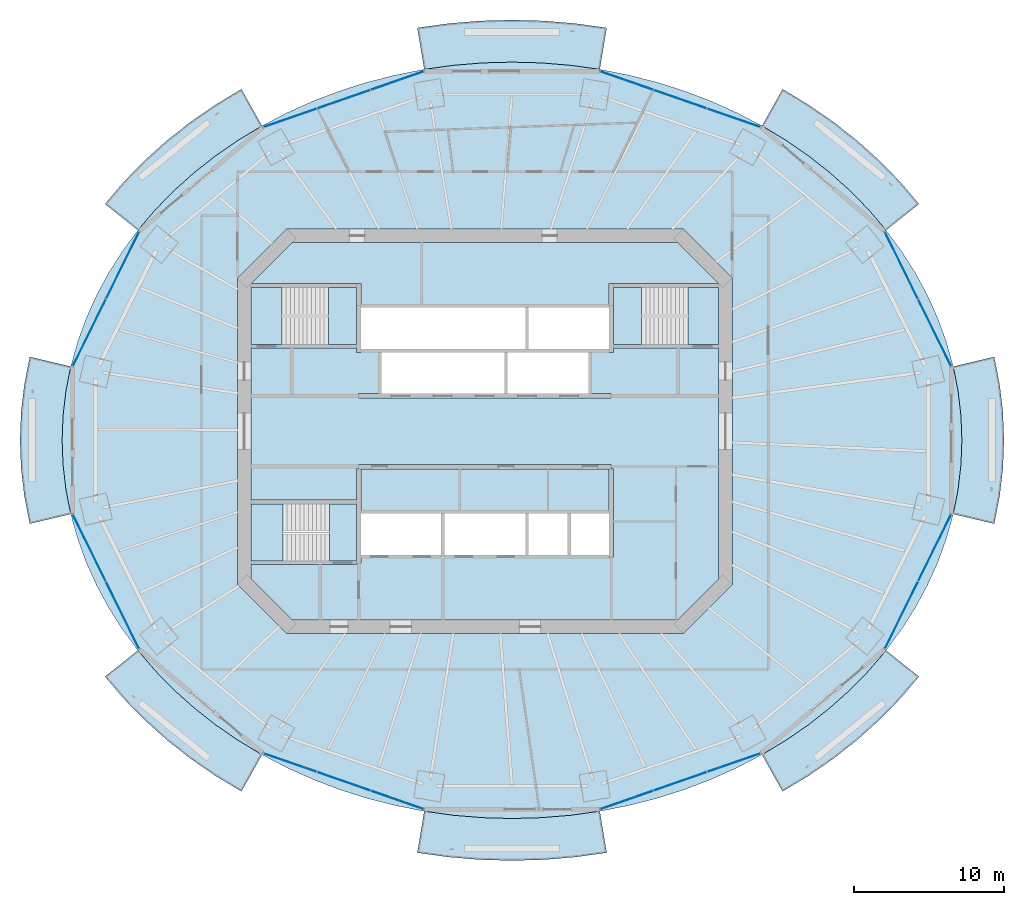
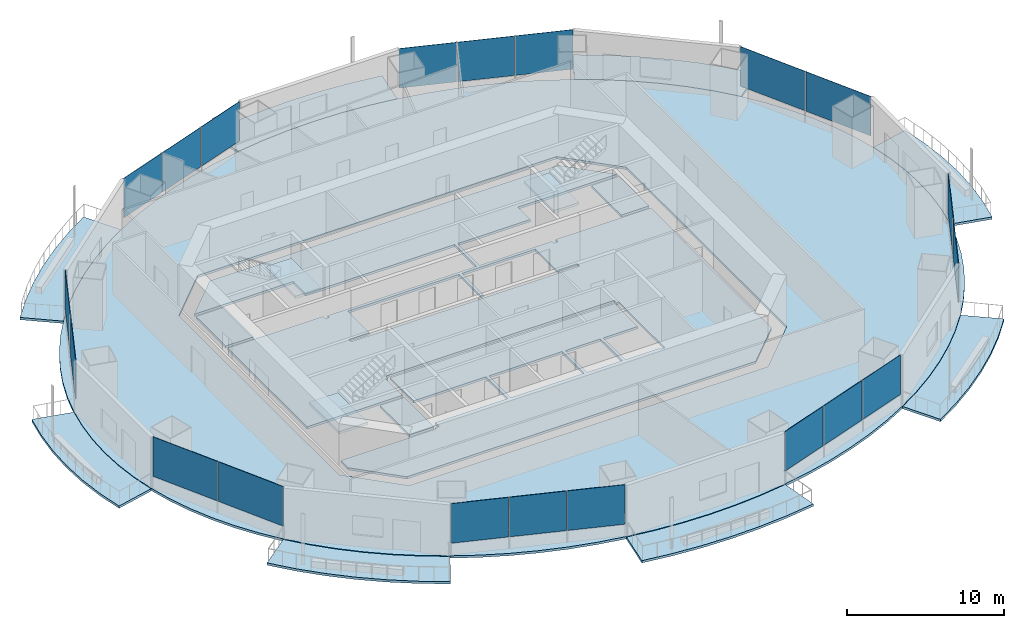
# One storey, part 9 of 19: 20 plates, 16 slabs, 11 elements without a shape of their own.
"""IFC4 building model written with IfcOpenShell, lengths in metres."""

from ifc_helpers import new_model, si_unit, direction, frame, origin, origin_2d, place, context, subcontext, project, spatial, polyline, rectangle, outline, extrude, material, layer, layer_set, type_object, element, aggregate, save


model = new_model("IFC4")

# Units and contexts
model_context = context("Model", 3, precision=1e-05, world=origin(), true_north=direction((0.0, 1.0)))
body_context = subcontext(model_context, "Body", "Model", "MODEL_VIEW")
ifc_project = project(units=[si_unit("LENGTHUNIT", "METRE"), si_unit("AREAUNIT", "SQUARE_METRE"), si_unit("VOLUMEUNIT", "CUBIC_METRE"), si_unit("PLANEANGLEUNIT", "RADIAN"), si_unit("MASSUNIT", "GRAM", prefix="KILO")], contexts=[model_context])

# Site, building, storey
site_placement = place(None, origin())
site = spatial("IfcSite", under=ifc_project, at=site_placement, CompositionType="ELEMENT")
building_placement = place(site_placement, origin())
building = spatial("IfcBuilding", under=site, at=building_placement, Name="Marenthal Gate Tower", CompositionType="ELEMENT")
storey_placement = place(building_placement, frame((0.0, 0.0, 248.199951171875)))
storey = spatial("IfcBuildingStorey", under=building, at=storey_placement, Name="L55", CompositionType="ELEMENT", Elevation=248.199951171875)

# Slabs
ifc_material_1 = material(Name="Concrete 40 MPa", Category="concrete")
ifc_layer_1 = layer(ifc_material_1, 0.179931640625)
ifc_layer_set_1 = layer_set([ifc_layer_1], Name="Balcony deck 180")
slab_type_1 = type_object("IfcSlabType", Name="Balcony deck 180", PredefinedType="USERDEFINED", material=ifc_layer_set_1)
slab_1_placement = place(storey_placement, frame((0.0, 0.0, -0.219970703125)))
element("IfcSlab", 1, at=slab_1_placement, inside=storey, type_object=slab_type_1, Name="Balcony deck L55 bay 2", ObjectType="BALCONY", PredefinedType="USERDEFINED", context=body_context, shape_type="SweptSolid", body=[
    extrude(outline(polyline([(26.68017578125, 13.374755859375), (25.53955078125, 14.712890625), (24.29736328125, 15.985107421875), (22.958740234375, 17.1865234375), (21.529541015625, 18.311767578125), (20.01611328125, 19.35595703125), (18.42431640625, 20.314697265625), (19.79541015625, 22.756103515625), (21.53369140625, 21.708984375), (23.191162109375, 20.565673828125), (24.760498046875, 19.329833984375), (26.23486328125, 18.006591796875), (27.607421875, 16.6005859375), (28.8720703125, 15.116943359375), (26.68017578125, 13.374755859375)])), origin(), (0.0, 0.0, 1.0), 0.179931640625),
])
slab_2_placement = place(storey_placement, frame((0.0, 0.0, -0.219970703125)))
element("IfcSlab", 2, at=slab_2_placement, inside=storey, type_object=slab_type_1, Name="Balcony deck L55 bay 4", ObjectType="BALCONY", PredefinedType="USERDEFINED", context=body_context, shape_type="SweptSolid", body=[
    extrude(outline(polyline([(7.6376953125, 24.07080078125), (5.705810546875, 24.3388671875), (3.757080078125, 24.5), (1.800048828125, 24.553955078125), (-0.156982421875, 24.5), (-2.105712890625, 24.3388671875), (-4.03759765625, 24.07080078125), (-4.49951171875, 26.832275390625), (-2.41357421875, 27.121826171875), (-0.31103515625, 27.2958984375), (1.800048828125, 27.35400390625), (3.9111328125, 27.2958984375), (6.013671875, 27.121826171875), (8.099365234375, 26.832275390625), (7.6376953125, 24.07080078125)])), origin(), (0.0, 0.0, 1.0), 0.179931640625),
])
slab_3_placement = place(storey_placement, frame((0.0, 0.0, -0.219970703125)))
element("IfcSlab", 3, at=slab_3_placement, inside=storey, type_object=slab_type_1, Name="Balcony deck L55 bay 6", ObjectType="BALCONY", PredefinedType="USERDEFINED", context=body_context, shape_type="SweptSolid", body=[
    extrude(outline(polyline([(-14.82421875, 20.314697265625), (-16.416015625, 19.35595703125), (-17.9296875, 18.311767578125), (-19.35888671875, 17.1865234375), (-20.697265625, 15.985107421875), (-21.939453125, 14.712890625), (-23.080078125, 13.374755859375), (-25.27197265625, 15.116943359375), (-24.007568359375, 16.6005859375), (-22.634765625, 18.006591796875), (-21.160400390625, 19.329833984375), (-19.591064453125, 20.565673828125), (-17.933837890625, 21.708984375), (-16.195556640625, 22.756103515625), (-14.82421875, 20.314697265625)])), origin(), (0.0, 0.0, 1.0), 0.179931640625),
])
slab_4_placement = place(storey_placement, frame((0.0, 0.0, -0.219970703125)))
element("IfcSlab", 4, at=slab_4_placement, inside=storey, type_object=slab_type_1, Name="Balcony deck L55 bay 8", ObjectType="BALCONY", PredefinedType="USERDEFINED", context=body_context, shape_type="SweptSolid", body=[
    extrude(outline(polyline([(-27.548095703125, 4.307373046875), (-27.866943359375, 2.683349609375), (-28.058837890625, 1.045166015625), (-28.123046875, -0.60009765625), (-28.058837890625, -2.2451171875), (-27.866943359375, -3.88330078125), (-27.548095703125, -5.50732421875), (-30.272705078125, -6.152099609375), (-30.63330078125, -4.316650390625), (-30.850341796875, -2.462890625), (-30.923095703125, -0.60009765625), (-30.850341796875, 1.262939453125), (-30.63330078125, 3.116455078125), (-30.272705078125, 4.9521484375), (-27.548095703125, 4.307373046875)])), origin(), (0.0, 0.0, 1.0), 0.179931640625),
])
slab_5_placement = place(storey_placement, frame((0.0, 0.0, -0.219970703125)))
element("IfcSlab", 5, at=slab_5_placement, inside=storey, type_object=slab_type_1, Name="Balcony deck L55 bay 10", ObjectType="BALCONY", PredefinedType="USERDEFINED", context=body_context, shape_type="SweptSolid", body=[
    extrude(outline(polyline([(-23.080078125, -14.57470703125), (-21.939453125, -15.912841796875), (-20.697265625, -17.185302734375), (-19.35888671875, -18.38671875), (-17.9296875, -19.51171875), (-16.416015625, -20.555908203125), (-14.82421875, -21.514892578125), (-16.195556640625, -23.9560546875), (-17.933837890625, -22.908935546875), (-19.591064453125, -21.765625), (-21.160400390625, -20.530029296875), (-22.634765625, -19.20654296875), (-24.007568359375, -17.800537109375), (-25.27197265625, -16.317138671875), (-23.080078125, -14.57470703125)])), origin(), (0.0, 0.0, 1.0), 0.179931640625),
])
slab_6_placement = place(storey_placement, frame((0.0, 0.0, -0.219970703125)))
element("IfcSlab", 6, at=slab_6_placement, inside=storey, type_object=slab_type_1, Name="Balcony deck L55 bay 12", ObjectType="BALCONY", PredefinedType="USERDEFINED", context=body_context, shape_type="SweptSolid", body=[
    extrude(outline(polyline([(-4.03759765625, -25.270751953125), (-2.105712890625, -25.538818359375), (-0.156982421875, -25.7001953125), (1.800048828125, -25.75390625), (3.757080078125, -25.7001953125), (5.705810546875, -25.538818359375), (7.6376953125, -25.270751953125), (8.099365234375, -28.032470703125), (6.013671875, -28.32177734375), (3.9111328125, -28.495849609375), (1.800048828125, -28.553955078125), (-0.31103515625, -28.495849609375), (-2.41357421875, -28.32177734375), (-4.49951171875, -28.032470703125), (-4.03759765625, -25.270751953125)])), origin(), (0.0, 0.0, 1.0), 0.179931640625),
])
slab_7_placement = place(storey_placement, frame((0.0, 0.0, -0.219970703125)))
element("IfcSlab", 7, at=slab_7_placement, inside=storey, type_object=slab_type_1, Name="Balcony deck L55 bay 14", ObjectType="BALCONY", PredefinedType="USERDEFINED", context=body_context, shape_type="SweptSolid", body=[
    extrude(outline(polyline([(18.42431640625, -21.514892578125), (20.01611328125, -20.555908203125), (21.529541015625, -19.51171875), (22.958740234375, -18.38671875), (24.29736328125, -17.185302734375), (25.53955078125, -15.912841796875), (26.68017578125, -14.57470703125), (28.8720703125, -16.317138671875), (27.607421875, -17.800537109375), (26.23486328125, -19.20654296875), (24.760498046875, -20.530029296875), (23.191162109375, -21.765625), (21.53369140625, -22.908935546875), (19.79541015625, -23.9560546875), (18.42431640625, -21.514892578125)])), origin(), (0.0, 0.0, 1.0), 0.179931640625),
])
slab_8_placement = place(storey_placement, frame((0.0, 0.0, -0.219970703125)))
element("IfcSlab", 8, at=slab_8_placement, inside=storey, type_object=slab_type_1, Name="Balcony deck L55 bay 16", ObjectType="BALCONY", PredefinedType="USERDEFINED", context=body_context, shape_type="SweptSolid", body=[
    extrude(outline(polyline([(31.14794921875, -5.50732421875), (31.467041015625, -3.88330078125), (31.658935546875, -2.2451171875), (31.722900390625, -0.60009765625), (31.658935546875, 1.045166015625), (31.467041015625, 2.683349609375), (31.14794921875, 4.307373046875), (33.872802734375, 4.9521484375), (34.2333984375, 3.116455078125), (34.450439453125, 1.262939453125), (34.52294921875, -0.60009765625), (34.450439453125, -2.462890625), (34.2333984375, -4.316650390625), (33.872802734375, -6.152099609375), (31.14794921875, -5.50732421875)])), origin(), (0.0, 0.0, 1.0), 0.179931640625),
])
ifc_material_2 = material(Name="Concrete 50 MPa", Category="concrete")
ifc_layer_2 = layer(ifc_material_2, 0.179931640625)
ifc_layer_set_2 = layer_set([ifc_layer_2], Name="Core floor slab 180")
slab_type_2 = type_object("IfcSlabType", Name="Core floor slab 180", PredefinedType="FLOOR", material=ifc_layer_set_2)
slab_9_placement = place(storey_placement, frame((0.0, 0.0, -0.179931640625)))
element("IfcSlab", 9, at=slab_9_placement, inside=storey, type_object=slab_type_2, Name="Core floor L55", PredefinedType="FLOOR", context=body_context, shape_type="SweptSolid", body=[
    extrude(outline(polyline([(12.813720703125, -12.550048828125), (-12.813720703125, -12.550048828125), (-15.550048828125, -9.813720703125), (-15.550048828125, -8.875), (-8.550048828125, -8.875), (-8.550048828125, -8.75), (-8.25, -8.75), (-8.25, -8.239990234375), (-5.60009765625, -8.239990234375), (-2.909912109375, -8.239990234375), (-2.909912109375, -5.4599609375), (-5.60009765625, -5.4599609375), (-8.25, -5.4599609375), (-8.25, -2.5), (8.25, -2.5), (8.25, -5.4599609375), (5.7099609375, -5.4599609375), (5.7099609375, -8.239990234375), (8.25, -8.239990234375), (8.25, -8.35009765625), (8.550048828125, -8.35009765625), (8.550048828125, -2.5), (8.39990234375, -2.5), (8.39990234375, -2.199951171875), (-8.39990234375, -2.199951171875), (-8.39990234375, -2.5), (-8.550048828125, -2.5), (-8.550048828125, -4.574951171875), (-15.550048828125, -4.574951171875), (-15.550048828125, 5.52490234375), (-8.550048828125, 5.52490234375), (-8.550048828125, 5.239990234375), (-8.25, 5.239990234375), (-8.25, 5.4599609375), (-5.60009765625, 5.4599609375), (-2.800048828125, 5.4599609375), (0.0, 5.4599609375), (2.68994140625, 5.4599609375), (2.68994140625, 8.239990234375), (0.0, 8.239990234375), (-2.800048828125, 8.239990234375), (-5.60009765625, 8.239990234375), (-8.25, 8.239990234375), (-8.25, 8.35009765625), (-8.25, 9.824951171875), (-8.550048828125, 9.824951171875), (-15.53857421875, 9.824951171875), (-12.813720703125, 12.550048828125), (12.813720703125, 12.550048828125), (15.53857421875, 9.824951171875), (8.550048828125, 9.824951171875), (8.25, 9.824951171875), (8.25, 8.35009765625), (8.25, 8.239990234375), (5.60009765625, 8.239990234375), (2.909912109375, 8.239990234375), (2.909912109375, 5.4599609375), (5.60009765625, 5.4599609375), (8.25, 5.4599609375), (8.25, 5.239990234375), (8.550048828125, 5.239990234375), (8.550048828125, 5.52490234375), (15.550048828125, 5.52490234375), (15.550048828125, -9.813720703125), (12.813720703125, -12.550048828125)]), holes=[polyline([(2.68994140625, -8.239990234375), (2.68994140625, -5.4599609375), (0.0, -5.4599609375), (-2.68994140625, -5.4599609375), (-2.68994140625, -8.239990234375), (0.0, -8.239990234375), (2.68994140625, -8.239990234375)]), polyline([(-6.889892578125, 5.239990234375), (-6.889892578125, 2.5), (-8.39990234375, 2.5), (-8.39990234375, 2.199951171875), (8.39990234375, 2.199951171875), (8.39990234375, 2.5), (6.889892578125, 2.5), (6.889892578125, 5.239990234375), (4.199951171875, 5.239990234375), (1.510009765625, 5.239990234375), (1.510009765625, 2.5), (1.2900390625, 2.5), (1.2900390625, 5.239990234375), (-1.39990234375, 5.239990234375), (-4.199951171875, 5.239990234375), (-6.889892578125, 5.239990234375)]), polyline([(5.489990234375, -5.4599609375), (2.909912109375, -5.4599609375), (2.909912109375, -8.239990234375), (5.489990234375, -8.239990234375), (5.489990234375, -5.4599609375)])]), origin(), (0.0, 0.0, 1.0), 0.179931640625),
])
slab_10_placement = place(storey_placement, frame((0.0, 0.0, -0.179931640625)))
element("IfcSlab", 10, at=slab_10_placement, inside=storey, type_object=slab_type_2, Name="Core floor L55", PredefinedType="FLOOR", context=body_context, shape_type="SweptSolid", body=[
    extrude(outline(polyline([(15.550048828125, 5.77490234375), (13.5, 5.77490234375), (13.5, 9.574951171875), (15.550048828125, 9.574951171875), (15.550048828125, 5.77490234375)])), origin(), (0.0, 0.0, 1.0), 0.179931640625),
])
slab_11_placement = place(storey_placement, frame((0.0, 0.0, -0.179931640625)))
element("IfcSlab", 11, at=slab_11_placement, inside=storey, type_object=slab_type_2, Name="Core floor L55", PredefinedType="FLOOR", context=body_context, shape_type="SweptSolid", body=[
    extrude(outline(polyline([(-15.550048828125, 9.574951171875), (-13.5, 9.574951171875), (-13.5, 5.77490234375), (-15.550048828125, 5.77490234375), (-15.550048828125, 9.574951171875)])), origin(), (0.0, 0.0, 1.0), 0.179931640625),
])
slab_12_placement = place(storey_placement, frame((0.0, 0.0, -0.179931640625)))
element("IfcSlab", 12, at=slab_12_placement, inside=storey, type_object=slab_type_2, Name="Core floor L55", PredefinedType="FLOOR", context=body_context, shape_type="SweptSolid", body=[
    extrude(outline(polyline([(-8.550048828125, -8.625), (-10.35009765625, -8.625), (-10.35009765625, -4.824951171875), (-8.550048828125, -4.824951171875), (-8.550048828125, -8.625)])), origin(), (0.0, 0.0, 1.0), 0.179931640625),
])
ifc_material_3 = material(Name="Concrete 35 MPa", Category="concrete")
ifc_layer_3 = layer(ifc_material_3, 0.179931640625)
ifc_layer_set_3 = layer_set([ifc_layer_3], Name="Floor slab 180")
slab_type_3 = type_object("IfcSlabType", Name="Floor slab 180", PredefinedType="FLOOR", material=ifc_layer_set_3)
slab_13_placement = place(storey_placement, frame((0.0, 0.0, -0.179931640625)))
element("IfcSlab", 13, at=slab_13_placement, inside=storey, type_object=slab_type_3, Name="SL-L55-01", PredefinedType="FLOOR", context=body_context, shape_type="SweptSolid", body=[
    extrude(outline(polyline([(31.722900390625, -0.60009765625), (31.658935546875, 1.045166015625), (31.467041015625, 2.683349609375), (31.14794921875, 4.307373046875), (30.703369140625, 5.910400390625), (30.135009765625, 7.485595703125), (29.4453125, 9.02587890625), (28.63720703125, 10.525390625), (27.714111328125, 11.97705078125), (26.68017578125, 13.374755859375), (25.53955078125, 14.712890625), (24.29736328125, 15.985107421875), (22.958740234375, 17.1865234375), (21.529541015625, 18.311767578125), (20.01611328125, 19.35595703125), (18.42431640625, 20.314697265625), (16.761474609375, 21.18408203125), (15.03466796875, 21.9599609375), (13.2509765625, 22.639404296875), (11.41845703125, 23.218994140625), (9.544677734375, 23.697021484375), (7.6376953125, 24.07080078125), (5.705810546875, 24.3388671875), (3.757080078125, 24.5), (1.800048828125, 24.553955078125), (-0.156982421875, 24.5), (-2.105712890625, 24.3388671875), (-4.03759765625, 24.07080078125), (-5.944580078125, 23.697021484375), (-7.818359375, 23.218994140625), (-9.65087890625, 22.639404296875), (-11.4345703125, 21.9599609375), (-13.16162109375, 21.18408203125), (-14.82421875, 20.314697265625), (-16.416015625, 19.35595703125), (-17.9296875, 18.311767578125), (-19.35888671875, 17.1865234375), (-20.697265625, 15.985107421875), (-21.939453125, 14.712890625), (-23.080078125, 13.374755859375), (-24.114013671875, 11.97705078125), (-25.037109375, 10.525390625), (-25.84521484375, 9.02587890625), (-26.534912109375, 7.485595703125), (-27.103515625, 5.910400390625), (-27.548095703125, 4.307373046875), (-27.866943359375, 2.683349609375), (-28.058837890625, 1.045166015625), (-28.123046875, -0.60009765625), (-28.058837890625, -2.2451171875), (-27.866943359375, -3.88330078125), (-27.548095703125, -5.50732421875), (-27.103515625, -7.1103515625), (-26.534912109375, -8.685546875), (-25.84521484375, -10.22607421875), (-25.037109375, -11.725341796875), (-24.114013671875, -13.177001953125), (-23.080078125, -14.57470703125), (-21.939453125, -15.912841796875), (-20.697265625, -17.185302734375), (-19.35888671875, -18.38671875), (-17.9296875, -19.51171875), (-16.416015625, -20.555908203125), (-14.82421875, -21.514892578125), (-13.16162109375, -22.384033203125), (-11.4345703125, -23.159912109375), (-9.65087890625, -23.83935546875), (-7.818359375, -24.419189453125), (-5.944580078125, -24.89697265625), (-4.03759765625, -25.270751953125), (-2.105712890625, -25.538818359375), (-0.156982421875, -25.7001953125), (1.800048828125, -25.75390625), (3.757080078125, -25.7001953125), (5.705810546875, -25.538818359375), (7.6376953125, -25.270751953125), (9.544677734375, -24.89697265625), (11.41845703125, -24.419189453125), (13.2509765625, -23.83935546875), (15.03466796875, -23.159912109375), (16.761474609375, -22.384033203125), (18.42431640625, -21.514892578125), (20.01611328125, -20.555908203125), (21.529541015625, -19.51171875), (22.958740234375, -18.38671875), (24.29736328125, -17.185302734375), (25.53955078125, -15.912841796875), (26.68017578125, -14.57470703125), (27.714111328125, -13.177001953125), (28.63720703125, -11.725341796875), (29.4453125, -10.22607421875), (30.135009765625, -8.685546875), (30.703369140625, -7.1103515625), (31.14794921875, -5.50732421875), (31.467041015625, -3.88330078125), (31.658935546875, -2.2451171875), (31.722900390625, -0.60009765625)]), holes=[polyline([(13.186279296875, -13.449951171875), (16.449951171875, -10.186279296875), (16.449951171875, 10.186279296875), (13.186279296875, 13.449951171875), (-13.186279296875, 13.449951171875), (-16.449951171875, 10.186279296875), (-16.449951171875, -10.186279296875), (-13.186279296875, -13.449951171875), (13.186279296875, -13.449951171875)])]), origin(), (0.0, 0.0, 1.0), 0.179931640625),
])

# Curtain wall, plates
ifc_material_4 = material(Name="Aluminium and glass", Category="aluminium")
curtain_wall_type = type_object("IfcCurtainWallType", Name="Curtain wall typical mid", PredefinedType="NOTDEFINED", material=ifc_material_4)
curtain_wall_1_placement = place(storey_placement, origin())
curtain_wall_1 = element("IfcCurtainWall", 14, at=curtain_wall_1_placement, inside=storey, type_object=curtain_wall_type, Name="Curtain wall L55 bay 1", PredefinedType="NOTDEFINED")
ifc_material_5 = material(Name="Glass, laminated insulating unit", Category="glass")
ifc_layer_4 = layer(ifc_material_5, 0.030029296875)
ifc_layer_set_4 = layer_set([ifc_layer_4], Name="Glass panel 30 typical mid")
plate_type = type_object("IfcPlateType", Name="Glass panel 30 typical mid", PredefinedType="CURTAIN_PANEL", material=ifc_layer_set_4)
plate_1_placement = place(storey_placement, frame((29.9111328125, 6.553466796875, 0.89990234375), z_axis=(0.0, 0.0, 1.0), x_axis=(-0.44226926732, 0.896882319585, 0.0)))
plate_1 = element("IfcPlate", 15, at=plate_1_placement, type_object=plate_type, Name="Glass panel L55 bay 1.1", PredefinedType="CURTAIN_PANEL", context=body_context, shape_type="SweptSolid", body=[
    extrude(rectangle(XDim=4.94091796875, YDim=0.030029296875, at=origin_2d()), origin(), (0.0, 0.0, 1.0), 3.070068359375),
])
plate_2_placement = place(storey_placement, frame((27.699462890625, 11.03857421875, 0.89990234375), z_axis=(0.0, 0.0, 1.0), x_axis=(-0.44226926732, 0.896882319585, 0.0)))
plate_2 = element("IfcPlate", 16, at=plate_2_placement, type_object=plate_type, Name="Glass panel L55 bay 1.2", PredefinedType="CURTAIN_PANEL", context=body_context, shape_type="SweptSolid", body=[
    extrude(rectangle(XDim=4.94091796875, YDim=0.030029296875, at=origin_2d()), origin(), (0.0, 0.0, 1.0), 3.070068359375),
])
aggregate(curtain_wall_1, [plate_1, plate_2])

curtain_wall_2_placement = place(storey_placement, origin())
curtain_wall_2 = element("IfcCurtainWall", 17, at=curtain_wall_2_placement, inside=storey, type_object=curtain_wall_type, Name="Curtain wall L55 bay 3", PredefinedType="NOTDEFINED")
plate_3_placement = place(storey_placement, frame((16.54833984375, 20.844482421875, 0.89990234375), z_axis=(0.0, 0.0, 1.0), x_axis=(-0.944465007872, 0.328612003593, 0.0)))
plate_3 = element("IfcPlate", 18, at=plate_3_placement, type_object=plate_type, Name="Glass panel L55 bay 3.1", PredefinedType="CURTAIN_PANEL", context=body_context, shape_type="SweptSolid", body=[
    extrude(rectangle(XDim=3.711669921875, YDim=0.030029296875, at=origin_2d()), origin(), (0.0, 0.0, 1.0), 3.070068359375),
])
plate_4_placement = place(storey_placement, frame((12.986083984375, 22.083984375, 0.89990234375), z_axis=(0.0, 0.0, 1.0), x_axis=(-0.944465007872, 0.328612003593, 0.0)))
plate_4 = element("IfcPlate", 19, at=plate_4_placement, type_object=plate_type, Name="Glass panel L55 bay 3.2", PredefinedType="CURTAIN_PANEL", context=body_context, shape_type="SweptSolid", body=[
    extrude(rectangle(XDim=3.711669921875, YDim=0.030029296875, at=origin_2d()), origin(), (0.0, 0.0, 1.0), 3.070068359375),
])
plate_5_placement = place(storey_placement, frame((9.423828125, 23.323486328125, 0.89990234375), z_axis=(0.0, 0.0, 1.0), x_axis=(-0.944465007872, 0.328612003593, 0.0)))
plate_5 = element("IfcPlate", 20, at=plate_5_placement, type_object=plate_type, Name="Glass panel L55 bay 3.3", PredefinedType="CURTAIN_PANEL", context=body_context, shape_type="SweptSolid", body=[
    extrude(rectangle(XDim=3.711669921875, YDim=0.030029296875, at=origin_2d()), origin(), (0.0, 0.0, 1.0), 3.070068359375),
])
aggregate(curtain_wall_2, [plate_3, plate_4, plate_5])

curtain_wall_3_placement = place(storey_placement, origin())
curtain_wall_3 = element("IfcCurtainWall", 21, at=curtain_wall_3_placement, inside=storey, type_object=curtain_wall_type, Name="Curtain wall L55 bay 5", PredefinedType="NOTDEFINED")
plate_6_placement = place(storey_placement, frame((-5.82373046875, 23.323486328125, 0.89990234375), z_axis=(0.0, 0.0, 1.0), x_axis=(-0.944465007872, -0.328612003593, 0.0)))
plate_6 = element("IfcPlate", 22, at=plate_6_placement, type_object=plate_type, Name="Glass panel L55 bay 5.1", PredefinedType="CURTAIN_PANEL", context=body_context, shape_type="SweptSolid", body=[
    extrude(rectangle(XDim=3.711669921875, YDim=0.030029296875, at=origin_2d()), origin(), (0.0, 0.0, 1.0), 3.070068359375),
])
plate_7_placement = place(storey_placement, frame((-9.385986328125, 22.083984375, 0.89990234375), z_axis=(0.0, 0.0, 1.0), x_axis=(-0.944465007872, -0.328612003593, 0.0)))
plate_7 = element("IfcPlate", 23, at=plate_7_placement, type_object=plate_type, Name="Glass panel L55 bay 5.2", PredefinedType="CURTAIN_PANEL", context=body_context, shape_type="SweptSolid", body=[
    extrude(rectangle(XDim=3.711669921875, YDim=0.030029296875, at=origin_2d()), origin(), (0.0, 0.0, 1.0), 3.070068359375),
])
plate_8_placement = place(storey_placement, frame((-12.9482421875, 20.844482421875, 0.89990234375), z_axis=(0.0, 0.0, 1.0), x_axis=(-0.944465007872, -0.328612003593, 0.0)))
plate_8 = element("IfcPlate", 24, at=plate_8_placement, type_object=plate_type, Name="Glass panel L55 bay 5.3", PredefinedType="CURTAIN_PANEL", context=body_context, shape_type="SweptSolid", body=[
    extrude(rectangle(XDim=3.711669921875, YDim=0.030029296875, at=origin_2d()), origin(), (0.0, 0.0, 1.0), 3.070068359375),
])
aggregate(curtain_wall_3, [plate_6, plate_7, plate_8])

curtain_wall_4_placement = place(storey_placement, origin())
curtain_wall_4 = element("IfcCurtainWall", 25, at=curtain_wall_4_placement, inside=storey, type_object=curtain_wall_type, Name="Curtain wall L55 bay 7", PredefinedType="NOTDEFINED")
plate_9_placement = place(storey_placement, frame((-24.099365234375, 11.03857421875, 0.89990234375), z_axis=(0.0, 0.0, 1.0), x_axis=(-0.44226926732, -0.896882319585, 0.0)))
plate_9 = element("IfcPlate", 26, at=plate_9_placement, type_object=plate_type, Name="Glass panel L55 bay 7.1", PredefinedType="CURTAIN_PANEL", context=body_context, shape_type="SweptSolid", body=[
    extrude(rectangle(XDim=4.94091796875, YDim=0.030029296875, at=origin_2d()), origin(), (0.0, 0.0, 1.0), 3.070068359375),
])
plate_10_placement = place(storey_placement, frame((-26.311279296875, 6.553466796875, 0.89990234375), z_axis=(0.0, 0.0, 1.0), x_axis=(-0.44226926732, -0.896882319585, 0.0)))
plate_10 = element("IfcPlate", 27, at=plate_10_placement, type_object=plate_type, Name="Glass panel L55 bay 7.2", PredefinedType="CURTAIN_PANEL", context=body_context, shape_type="SweptSolid", body=[
    extrude(rectangle(XDim=4.94091796875, YDim=0.030029296875, at=origin_2d()), origin(), (0.0, 0.0, 1.0), 3.070068359375),
])
aggregate(curtain_wall_4, [plate_9, plate_10])

curtain_wall_5_placement = place(storey_placement, origin())
curtain_wall_5 = element("IfcCurtainWall", 28, at=curtain_wall_5_placement, inside=storey, type_object=curtain_wall_type, Name="Curtain wall L55 bay 9", PredefinedType="NOTDEFINED")
plate_11_placement = place(storey_placement, frame((-26.311279296875, -7.75341796875, 0.89990234375), z_axis=(0.0, 0.0, 1.0), x_axis=(0.44226926732, -0.896882319585, 0.0)))
plate_11 = element("IfcPlate", 29, at=plate_11_placement, type_object=plate_type, Name="Glass panel L55 bay 9.1", PredefinedType="CURTAIN_PANEL", context=body_context, shape_type="SweptSolid", body=[
    extrude(rectangle(XDim=4.94091796875, YDim=0.030029296875, at=origin_2d()), origin(), (0.0, 0.0, 1.0), 3.070068359375),
])
plate_12_placement = place(storey_placement, frame((-24.099365234375, -12.238525390625, 0.89990234375), z_axis=(0.0, 0.0, 1.0), x_axis=(0.44226926732, -0.896882319585, 0.0)))
plate_12 = element("IfcPlate", 30, at=plate_12_placement, type_object=plate_type, Name="Glass panel L55 bay 9.2", PredefinedType="CURTAIN_PANEL", context=body_context, shape_type="SweptSolid", body=[
    extrude(rectangle(XDim=4.94091796875, YDim=0.030029296875, at=origin_2d()), origin(), (0.0, 0.0, 1.0), 3.070068359375),
])
aggregate(curtain_wall_5, [plate_11, plate_12])

curtain_wall_6_placement = place(storey_placement, origin())
curtain_wall_6 = element("IfcCurtainWall", 31, at=curtain_wall_6_placement, inside=storey, type_object=curtain_wall_type, Name="Curtain wall L55 bay 11", PredefinedType="NOTDEFINED")
plate_13_placement = place(storey_placement, frame((-12.9482421875, -22.044677734375, 0.89990234375), z_axis=(0.0, 0.0, 1.0), x_axis=(0.944465007872, -0.328612003593, 0.0)))
plate_13 = element("IfcPlate", 32, at=plate_13_placement, type_object=plate_type, Name="Glass panel L55 bay 11.1", PredefinedType="CURTAIN_PANEL", context=body_context, shape_type="SweptSolid", body=[
    extrude(rectangle(XDim=3.711669921875, YDim=0.030029296875, at=origin_2d()), origin(), (0.0, 0.0, 1.0), 3.070068359375),
])
plate_14_placement = place(storey_placement, frame((-9.385986328125, -23.283935546875, 0.89990234375), z_axis=(0.0, 0.0, 1.0), x_axis=(0.944465007872, -0.328612003593, 0.0)))
plate_14 = element("IfcPlate", 33, at=plate_14_placement, type_object=plate_type, Name="Glass panel L55 bay 11.2", PredefinedType="CURTAIN_PANEL", context=body_context, shape_type="SweptSolid", body=[
    extrude(rectangle(XDim=3.711669921875, YDim=0.030029296875, at=origin_2d()), origin(), (0.0, 0.0, 1.0), 3.070068359375),
])
plate_15_placement = place(storey_placement, frame((-5.82373046875, -24.5234375, 0.89990234375), z_axis=(0.0, 0.0, 1.0), x_axis=(0.944465007872, -0.328612003593, 0.0)))
plate_15 = element("IfcPlate", 34, at=plate_15_placement, type_object=plate_type, Name="Glass panel L55 bay 11.3", PredefinedType="CURTAIN_PANEL", context=body_context, shape_type="SweptSolid", body=[
    extrude(rectangle(XDim=3.711669921875, YDim=0.030029296875, at=origin_2d()), origin(), (0.0, 0.0, 1.0), 3.070068359375),
])
aggregate(curtain_wall_6, [plate_13, plate_14, plate_15])

curtain_wall_7_placement = place(storey_placement, origin())
curtain_wall_7 = element("IfcCurtainWall", 35, at=curtain_wall_7_placement, inside=storey, type_object=curtain_wall_type, Name="Curtain wall L55 bay 13", PredefinedType="NOTDEFINED")
plate_16_placement = place(storey_placement, frame((9.423828125, -24.5234375, 0.89990234375), z_axis=(0.0, 0.0, 1.0), x_axis=(0.944465007872, 0.328612003593, 0.0)))
plate_16 = element("IfcPlate", 36, at=plate_16_placement, type_object=plate_type, Name="Glass panel L55 bay 13.1", PredefinedType="CURTAIN_PANEL", context=body_context, shape_type="SweptSolid", body=[
    extrude(rectangle(XDim=3.711669921875, YDim=0.030029296875, at=origin_2d()), origin(), (0.0, 0.0, 1.0), 3.070068359375),
])
plate_17_placement = place(storey_placement, frame((12.986083984375, -23.283935546875, 0.89990234375), z_axis=(0.0, 0.0, 1.0), x_axis=(0.944465007872, 0.328612003593, 0.0)))
plate_17 = element("IfcPlate", 37, at=plate_17_placement, type_object=plate_type, Name="Glass panel L55 bay 13.2", PredefinedType="CURTAIN_PANEL", context=body_context, shape_type="SweptSolid", body=[
    extrude(rectangle(XDim=3.711669921875, YDim=0.030029296875, at=origin_2d()), origin(), (0.0, 0.0, 1.0), 3.070068359375),
])
plate_18_placement = place(storey_placement, frame((16.54833984375, -22.044677734375, 0.89990234375), z_axis=(0.0, 0.0, 1.0), x_axis=(0.944465007872, 0.328612003593, 0.0)))
plate_18 = element("IfcPlate", 38, at=plate_18_placement, type_object=plate_type, Name="Glass panel L55 bay 13.3", PredefinedType="CURTAIN_PANEL", context=body_context, shape_type="SweptSolid", body=[
    extrude(rectangle(XDim=3.711669921875, YDim=0.030029296875, at=origin_2d()), origin(), (0.0, 0.0, 1.0), 3.070068359375),
])
aggregate(curtain_wall_7, [plate_16, plate_17, plate_18])

curtain_wall_8_placement = place(storey_placement, origin())
curtain_wall_8 = element("IfcCurtainWall", 39, at=curtain_wall_8_placement, inside=storey, type_object=curtain_wall_type, Name="Curtain wall L55 bay 15", PredefinedType="NOTDEFINED")
plate_19_placement = place(storey_placement, frame((27.699462890625, -12.238525390625, 0.89990234375), z_axis=(0.0, 0.0, 1.0), x_axis=(0.44226926732, 0.896882319585, 0.0)))
plate_19 = element("IfcPlate", 40, at=plate_19_placement, type_object=plate_type, Name="Glass panel L55 bay 15.1", PredefinedType="CURTAIN_PANEL", context=body_context, shape_type="SweptSolid", body=[
    extrude(rectangle(XDim=4.94091796875, YDim=0.030029296875, at=origin_2d()), origin(), (0.0, 0.0, 1.0), 3.070068359375),
])
plate_20_placement = place(storey_placement, frame((29.9111328125, -7.75341796875, 0.89990234375), z_axis=(0.0, 0.0, 1.0), x_axis=(0.44226926732, 0.896882319585, 0.0)))
plate_20 = element("IfcPlate", 41, at=plate_20_placement, type_object=plate_type, Name="Glass panel L55 bay 15.2", PredefinedType="CURTAIN_PANEL", context=body_context, shape_type="SweptSolid", body=[
    extrude(rectangle(XDim=4.94091796875, YDim=0.030029296875, at=origin_2d()), origin(), (0.0, 0.0, 1.0), 3.070068359375),
])
aggregate(curtain_wall_8, [plate_19, plate_20])

# Stair, slab
ifc_material_6 = material(Name="Concrete 40 MPa", Category="concrete")
stair_type = type_object("IfcStairType", Name="Exit stair 1800", PredefinedType="HALF_TURN_STAIR", material=ifc_material_6)
stair_1_placement = place(storey_placement, origin())
stair_1 = element("IfcStair", 42, at=stair_1_placement, inside=storey, type_object=stair_type, Name="Stair ST1", PredefinedType="HALF_TURN_STAIR")
ifc_material_7 = material(Name="Concrete 40 MPa", Category="concrete")
ifc_layer_5 = layer(ifc_material_7, 0.199951171875)
ifc_layer_set_5 = layer_set([ifc_layer_5], Name="Stair landing 200")
slab_type_4 = type_object("IfcSlabType", Name="Stair landing 200", PredefinedType="LANDING", material=ifc_layer_set_5)
slab_14_placement = place(storey_placement, frame((0.0, 0.0, 1.875)))
slab_14 = element("IfcSlab", 43, at=slab_14_placement, type_object=slab_type_4, Name="ST1 landing 1", PredefinedType="LANDING", context=body_context, shape_type="SweptSolid", body=[
    extrude(outline(polyline([(-10.419921875, 5.77490234375), (-8.550048828125, 5.77490234375), (-8.550048828125, 9.574951171875), (-10.419921875, 9.574951171875), (-10.419921875, 5.77490234375)])), origin(), (0.0, 0.0, 1.0), 0.199951171875),
])
aggregate(stair_1, [slab_14])

stair_2_placement = place(storey_placement, origin())
stair_2 = element("IfcStair", 44, at=stair_2_placement, inside=storey, type_object=stair_type, Name="Stair ST2", PredefinedType="HALF_TURN_STAIR")
slab_15_placement = place(storey_placement, frame((0.0, 0.0, 1.875)))
slab_15 = element("IfcSlab", 45, at=slab_15_placement, type_object=slab_type_4, Name="ST2 landing 1", PredefinedType="LANDING", context=body_context, shape_type="SweptSolid", body=[
    extrude(outline(polyline([(-15.550048828125, -8.625), (-13.429931640625, -8.625), (-13.429931640625, -4.824951171875), (-15.550048828125, -4.824951171875), (-15.550048828125, -8.625)])), origin(), (0.0, 0.0, 1.0), 0.199951171875),
])
aggregate(stair_2, [slab_15])

stair_3_placement = place(storey_placement, origin())
stair_3 = element("IfcStair", 46, at=stair_3_placement, inside=storey, type_object=stair_type, Name="Stair ST3", PredefinedType="HALF_TURN_STAIR")
slab_16_placement = place(storey_placement, frame((0.0, 0.0, 1.875)))
slab_16 = element("IfcSlab", 47, at=slab_16_placement, type_object=slab_type_4, Name="ST3 landing 1", PredefinedType="LANDING", context=body_context, shape_type="SweptSolid", body=[
    extrude(outline(polyline([(8.550048828125, 5.77490234375), (10.419921875, 5.77490234375), (10.419921875, 9.574951171875), (8.550048828125, 9.574951171875), (8.550048828125, 5.77490234375)])), origin(), (0.0, 0.0, 1.0), 0.199951171875),
])
aggregate(stair_3, [slab_16])

save(model, "model.ifc")
